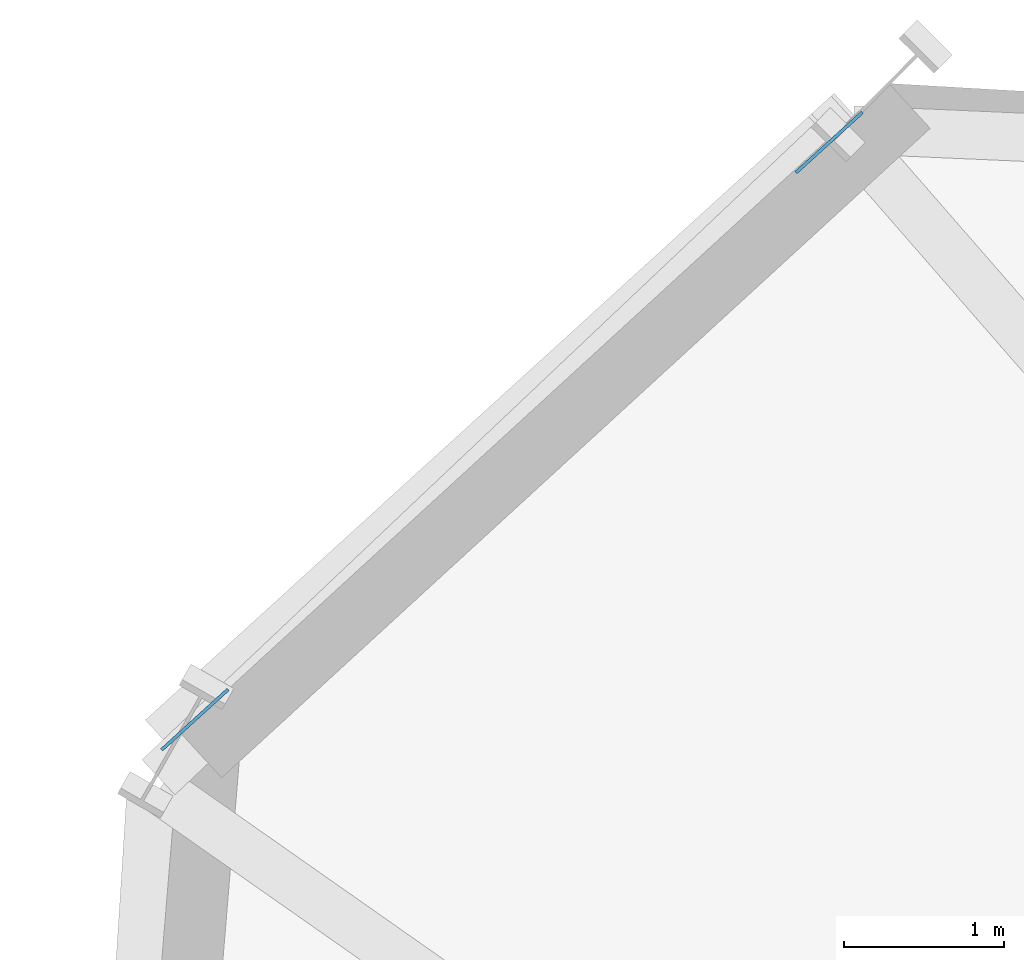
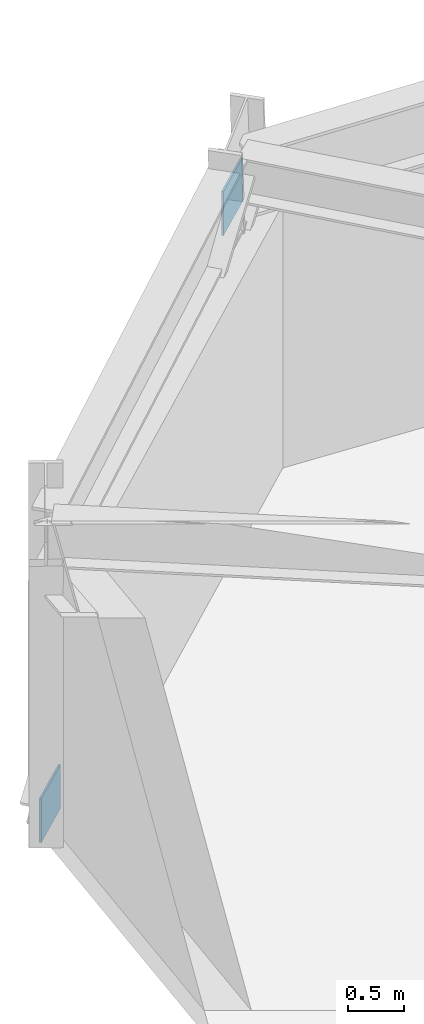
# One storey, part 12 of 17: 2 plates.
"""IFC4 building model written with IfcOpenShell, lengths in metres."""

from ifc_helpers import new_model, si_unit, direction, frame, origin, origin_2d, place, context, subcontext, project, spatial, rectangle, extrude, source, transform, mapped, material, type_object, element, save


model = new_model("IFC4")

# Units and contexts
model_context = context("Model", 3, precision=1e-05, world=origin(), true_north=direction((0.0, 1.0)))
body_context = subcontext(model_context, "Body", "Model", "MODEL_VIEW")
ifc_project = project(units=[si_unit("LENGTHUNIT", "METRE"), si_unit("AREAUNIT", "SQUARE_METRE"), si_unit("VOLUMEUNIT", "CUBIC_METRE"), si_unit("PLANEANGLEUNIT", "RADIAN"), si_unit("MASSUNIT", "GRAM", prefix="KILO")], contexts=[model_context])

# Site, building, storey
site_placement = place(None, origin())
site = spatial("IfcSite", under=ifc_project, at=site_placement, CompositionType="ELEMENT")
building_placement = place(site_placement, origin())
building = spatial("IfcBuilding", under=site, at=building_placement, Name="Olszyna Solenne Hotel", CompositionType="ELEMENT")
storey_placement = place(building_placement, frame((0.0, 0.0, 75.89990234375)))
storey = spatial("IfcBuildingStorey", under=building, at=storey_placement, Name="L19", CompositionType="ELEMENT", Elevation=75.89990234375)

# Plates
ifc_material = material(Name="Steel S355J2", Category="steel")
plate_type = type_object("IfcPlateType", Name="GP-ND2", PredefinedType="USERDEFINED", material=ifc_material)
shared_shape = source(origin(), body_context, "Body", "SweptSolid", [
    extrude(rectangle(XDim=0.56005859375, YDim=0.02001953125, at=origin_2d()), origin(), (0.0, 0.0, 1.0), 0.47998046875),
])
for number, where, z_axis, x_axis, name in (
    (1, (18.013671875, 41.206787109375, -0.16064453125), (0.0, 0.0, 1.0), (0.739631094979, 0.67301251351, 0.0), "Brace end connection gusset plate GP-ND2 EP-BR-L19-2-1"),
    (2, (21.969482421875, 44.806396484375, 2.8857421875), (0.0, 0.0, 1.0), (0.739631094979, 0.67301251351, 0.0), "Brace end connection gusset plate GP-ND2 EP-BR-L19-2-2"),
):
    element("IfcPlate", number, at=place(storey_placement, frame(where, z_axis=z_axis, x_axis=x_axis)), inside=storey, type_object=plate_type, Name=name, ObjectType="GUSSET_PLATE", PredefinedType="USERDEFINED", context=body_context, shape_type="MappedRepresentation", body=[
        mapped(shared_shape, transform((0.0, 0.0, 0.0), x_axis=(1.0, 0.0, 0.0), y_axis=(0.0, 1.0, 0.0), z_axis=(0.0, 0.0, 1.0), scale=1.0)),
    ])

save(model, "model.ifc")
